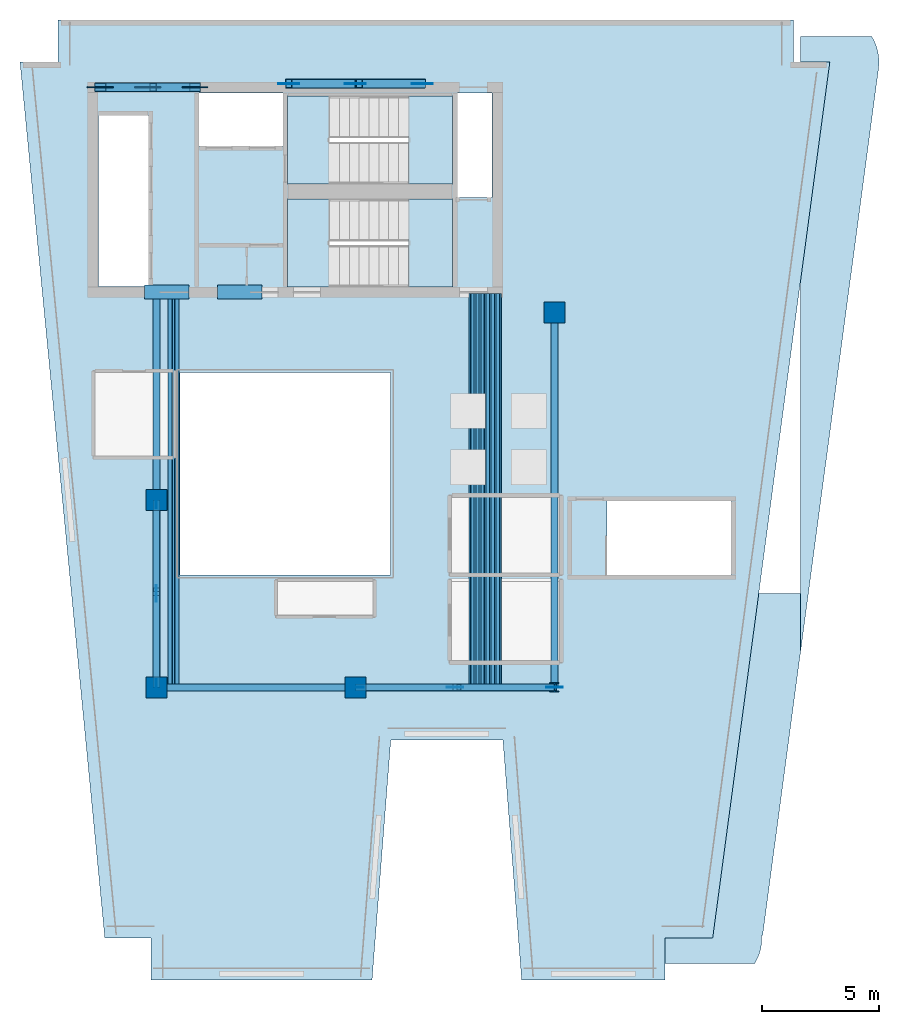
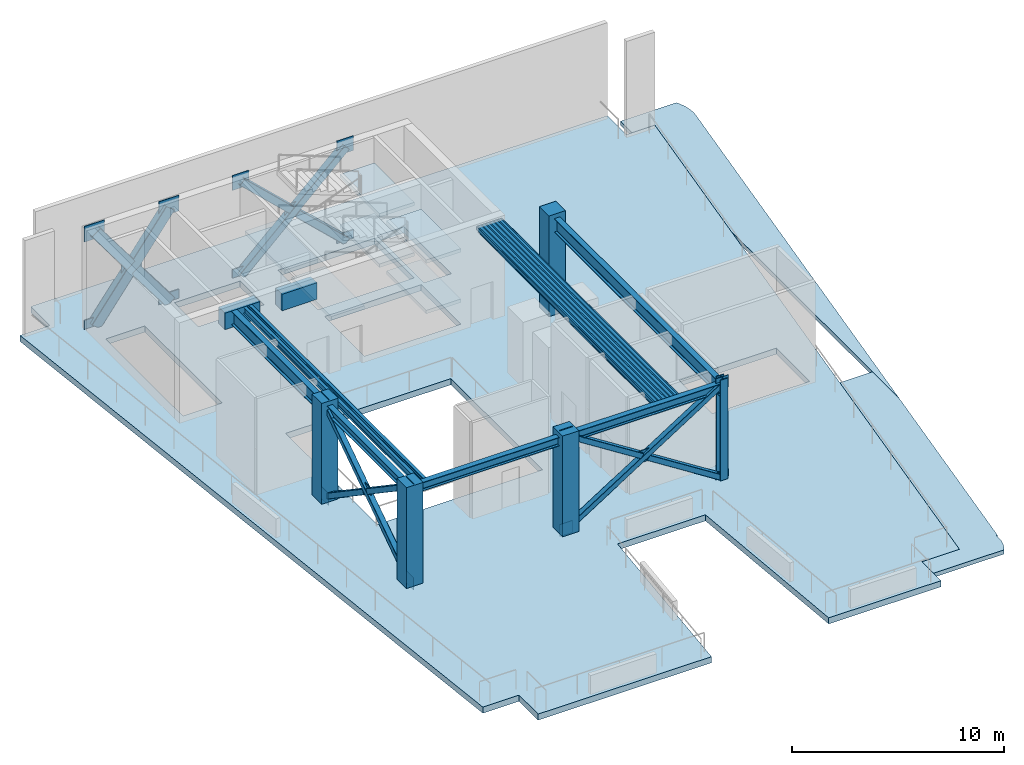
# One storey, part 1 of 8: 23 beams, 20 plates, 12 members, 9 slabs, 5 columns, 2 elements without a shape of their own.
"""IFC4 building model written with IfcOpenShell, lengths in metres."""

from ifc_helpers import new_model, si_unit, direction, frame, origin, origin_2d, place, context, subcontext, project, spatial, polyline, rectangle, hollow_rectangle, i_section, outline, extrude, material, layer, layer_set, material_profile, profile_set, type_object, element, aggregate, save


model = new_model("IFC4")

# Units and contexts
model_context = context("Model", 3, precision=1e-05, world=origin(), true_north=direction((0.0, 1.0)))
body_context = subcontext(model_context, "Body", "Model", "MODEL_VIEW")
ifc_project = project(units=[si_unit("LENGTHUNIT", "METRE"), si_unit("AREAUNIT", "SQUARE_METRE"), si_unit("VOLUMEUNIT", "CUBIC_METRE"), si_unit("PLANEANGLEUNIT", "RADIAN"), si_unit("MASSUNIT", "GRAM", prefix="KILO")], contexts=[model_context])

# Site, building, storey
site_placement = place(None, origin())
site = spatial("IfcSite", under=ifc_project, at=site_placement, CompositionType="ELEMENT")
building_placement = place(site_placement, origin())
building = spatial("IfcBuilding", under=site, at=building_placement, Name="Caeloran Harvest Quay", CompositionType="ELEMENT")
storey_placement = place(building_placement, frame((0.0, 0.0, 250.89990234375)))
storey = spatial("IfcBuildingStorey", under=building, at=storey_placement, Name="L60", CompositionType="ELEMENT", Elevation=250.89990234375)

# Columns
ifc_material_1 = material(Name="Concrete C60/75", Category="concrete")
ifc_material_profile_1 = material_profile(ifc_material_1, rectangle(XDim=0.89990234375, YDim=0.89990234375, at=origin_2d()), Name="RC 900x900")
ifc_profile_set_1 = profile_set([ifc_material_profile_1], Name="Concrete C60/75")
column_type_1 = type_object("IfcColumnType", Name="COL-MC-4-RC_900x900", PredefinedType="COLUMN", material=ifc_profile_set_1)
for number, where, z_axis, x_axis, name in (
    (1, (8.5, 15.0, 0.0), (0.0, 0.0, 1.0), (1.0, 0.0, 0.0), "L60 Structural Column (8.5, 15.0)"),
    (2, (8.5, 23.0, 0.0), (0.0, 0.0, 1.0), (1.0, 0.0, 0.0), "L60 Structural Column (8.5, 23.0)"),
    (3, (17.0, 15.0, 0.0), (0.0, 0.0, 1.0), (1.0, 0.0, 0.0), "L60 Structural Column (17.0, 15.0)"),
    (4, (25.5, 31.0, 0.0), (0.0, 0.0, 1.0), (1.0, 0.0, 0.0), "L60 Structural Column (25.5, 31.0)"),
):
    element("IfcColumn", number, at=place(storey_placement, frame(where, z_axis=z_axis, x_axis=x_axis)), inside=storey, type_object=column_type_1, Name=name, PredefinedType="COLUMN", context=body_context, shape_type="SweptSolid", body=[
        extrude(rectangle(XDim=0.89990234375, YDim=0.89990234375, at=origin_2d()), origin(), (0.0, 0.0, 1.0), 5.800048828125),
    ])
ifc_material_2 = material(Name="Steel HISTAR 460", Category="steel")
ifc_material_profile_2 = material_profile(ifc_material_2, i_section(OverallWidth=0.406005859375, OverallDepth=0.416015625, WebThickness=0.02978515625, FlangeThickness=0.048095703125, FilletRadius=0.014892578125, at=origin_2d()), Name="HD 400x382")
ifc_profile_set_2 = profile_set([ifc_material_profile_2], Name="Steel HISTAR 460")
column_type_2 = type_object("IfcColumnType", Name="COL-SC-5-HD_400x382", PredefinedType="COLUMN", material=ifc_profile_set_2)
column_placement = place(storey_placement, frame((25.5, 15.0, 0.0), z_axis=(0.0, 0.0, 1.0), x_axis=(1.0, 0.0, 0.0)))
element("IfcColumn", 5, at=column_placement, inside=storey, type_object=column_type_2, Name="L60 Structural Column (25.5, 15.0)", PredefinedType="COLUMN", context=body_context, shape_type="SweptSolid", body=[
    extrude(i_section(OverallWidth=0.406005859375, OverallDepth=0.416015625, WebThickness=0.02978515625, FlangeThickness=0.048095703125, FilletRadius=0.014892578125, at=origin_2d()), origin(), (0.0, 0.0, 1.0), 5.800048828125),
])

# Beams
ifc_material_profile_3 = material_profile(ifc_material_1, rectangle(XDim=0.60009765625, YDim=0.949951171875, at=origin_2d()), Name="RC 600x950")
ifc_profile_set_3 = profile_set([ifc_material_profile_3], Name="Concrete C60/75")
beam_type_1 = type_object("IfcBeamType", Name="BM-CB-2-RC_600x950", PredefinedType="LINTEL", material=ifc_profile_set_3)
for number, where, z_axis, x_axis, name in (
    (6, (8.0, 31.875, 5.0751953125), (1.0, 0.0, 0.0), (0.0, 1.0, 0.0), "L60 Core Coupling Beam 1"),
    (7, (11.10009765625, 31.875, 5.0751953125), (1.0, 0.0, 0.0), (0.0, 1.0, 0.0), "L60 Core Coupling Beam 2"),
):
    element("IfcBeam", number, at=place(storey_placement, frame(where, z_axis=z_axis, x_axis=x_axis)), inside=storey, type_object=beam_type_1, Name=name, PredefinedType="LINTEL", context=body_context, shape_type="SweptSolid", body=[
        extrude(rectangle(XDim=0.60009765625, YDim=0.949951171875, at=origin_2d()), origin(), (0.0, 0.0, 1.0), 1.89990234375),
    ])
ifc_material_3 = material(Name="Steel S355J2", Category="steel")
ifc_material_profile_4 = material_profile(ifc_material_3, i_section(OverallWidth=0.300048828125, OverallDepth=0.800048828125, WebThickness=0.017578125, FlangeThickness=0.032958984375, FilletRadius=0.030029296875, at=origin_2d()), Name="HE 800 B")
ifc_profile_set_4 = profile_set([ifc_material_profile_4], Name="Steel S355J2")
beam_type_2 = type_object("IfcBeamType", Name="BM-PG-1-HE_800_B", PredefinedType="BEAM", material=ifc_profile_set_4)
beam_1_placement = place(storey_placement, frame((8.5, 23.0, 5.150146484375), z_axis=(0.0, 1.0, 0.0), x_axis=(-1.0, 0.0, 0.0)))
element("IfcBeam", 8, at=beam_1_placement, inside=storey, type_object=beam_type_2, Name="L60 Core South Tie Girder X=8.5", PredefinedType="BEAM", context=body_context, shape_type="SweptSolid", body=[
    extrude(i_section(OverallWidth=0.300048828125, OverallDepth=0.800048828125, WebThickness=0.017578125, FlangeThickness=0.032958984375, FilletRadius=0.030029296875, at=origin_2d()), origin(), (0.0, 0.0, 1.0), 8.824951171875),
])
beam_2_placement = place(storey_placement, frame((25.5, 15.0, 5.150146484375), z_axis=(0.0, 1.0, 0.0), x_axis=(-1.0, 0.0, 0.0)))
element("IfcBeam", 9, at=beam_2_placement, inside=storey, type_object=beam_type_2, Name="L60 Primary North-South Girder X=25.5", PredefinedType="BEAM", context=body_context, shape_type="SweptSolid", body=[
    extrude(i_section(OverallWidth=0.300048828125, OverallDepth=0.800048828125, WebThickness=0.017578125, FlangeThickness=0.032958984375, FilletRadius=0.030029296875, at=origin_2d()), origin(), (0.0, 0.0, 1.0), 16.0),
])
ifc_material_profile_5 = material_profile(ifc_material_3, i_section(OverallWidth=0.300048828125, OverallDepth=0.5, WebThickness=0.014404296875, FlangeThickness=0.028076171875, FilletRadius=0.027099609375, at=origin_2d()), Name="HE 500 B")
ifc_profile_set_5 = profile_set([ifc_material_profile_5], Name="Steel S355J2")
beam_type_3 = type_object("IfcBeamType", Name="BM-PG-4-HE_500_B", PredefinedType="BEAM", material=ifc_profile_set_5)
for number, where, z_axis, x_axis, name in (
    (10, (8.5, 15.0, 5.300048828125), (1.0, 0.0, 0.0), (0.0, 1.0, 0.0), "L60 Primary East-West Girder Y=15.0"),
    (11, (17.0, 15.0, 5.300048828125), (1.0, 0.0, 0.0), (0.0, 1.0, 0.0), "L60 Primary East-West Girder Y=15.0"),
):
    element("IfcBeam", number, at=place(storey_placement, frame(where, z_axis=z_axis, x_axis=x_axis)), inside=storey, type_object=beam_type_3, Name=name, PredefinedType="BEAM", context=body_context, shape_type="SweptSolid", body=[
        extrude(i_section(OverallWidth=0.300048828125, OverallDepth=0.5, WebThickness=0.014404296875, FlangeThickness=0.028076171875, FilletRadius=0.027099609375, at=origin_2d()), origin(), (0.0, 0.0, 1.0), 8.5),
    ])
beam_3_placement = place(storey_placement, frame((8.5, 15.0, 5.300048828125), z_axis=(0.0, 1.0, 0.0), x_axis=(-1.0, 0.0, 0.0)))
element("IfcBeam", 12, at=beam_3_placement, inside=storey, type_object=beam_type_3, Name="L60 Primary North-South Girder X=8.5", PredefinedType="BEAM", context=body_context, shape_type="SweptSolid", body=[
    extrude(i_section(OverallWidth=0.300048828125, OverallDepth=0.5, WebThickness=0.014404296875, FlangeThickness=0.028076171875, FilletRadius=0.027099609375, at=origin_2d()), origin(), (0.0, 0.0, 1.0), 8.0),
])
ifc_material_profile_6 = material_profile(ifc_material_3, i_section(OverallWidth=0.169921875, OverallDepth=0.360107421875, WebThickness=0.008056640625, FlangeThickness=0.0126953125, FilletRadius=0.01806640625, at=origin_2d()), Name="IPE 360")
ifc_profile_set_6 = profile_set([ifc_material_profile_6], Name="Steel S355J2")
beam_type_4 = type_object("IfcBeamType", Name="BM-SB-5-IPE_360", PredefinedType="JOIST", material=ifc_profile_set_6)
for number, where, z_axis, x_axis, name in (
    (13, (9.086181640625, 15.14501953125, 5.3701171875), (0.0, 1.0, 0.0), (-1.0, 0.0, 0.0), "L60 Secondary Composite Joist"),
    (14, (9.37939453125, 15.14501953125, 5.3701171875), (0.0, 1.0, 0.0), (-1.0, 0.0, 0.0), "L60 Secondary Composite Joist"),
    (15, (21.99658203125, 15.14501953125, 5.3701171875), (0.0, 1.0, 0.0), (-1.0, 0.0, 0.0), "L60 Secondary Composite Joist"),
    (16, (22.2138671875, 15.14501953125, 5.3701171875), (0.0, 1.0, 0.0), (-1.0, 0.0, 0.0), "L60 Secondary Composite Joist"),
    (17, (22.430908203125, 15.14501953125, 5.3701171875), (0.0, 1.0, 0.0), (-1.0, 0.0, 0.0), "L60 Secondary Composite Joist"),
    (18, (22.648193359375, 15.14501953125, 5.3701171875), (0.0, 1.0, 0.0), (-1.0, 0.0, 0.0), "L60 Secondary Composite Joist"),
    (19, (22.865478515625, 15.14501953125, 5.3701171875), (0.0, 1.0, 0.0), (-1.0, 0.0, 0.0), "L60 Secondary Composite Joist"),
    (20, (23.082763671875, 15.14501953125, 5.3701171875), (0.0, 1.0, 0.0), (-1.0, 0.0, 0.0), "L60 Secondary Composite Joist"),
):
    element("IfcBeam", number, at=place(storey_placement, frame(where, z_axis=z_axis, x_axis=x_axis)), inside=storey, type_object=beam_type_4, Name=name, PredefinedType="JOIST", context=body_context, shape_type="SweptSolid", body=[
        extrude(i_section(OverallWidth=0.169921875, OverallDepth=0.360107421875, WebThickness=0.008056640625, FlangeThickness=0.0126953125, FilletRadius=0.01806640625, at=origin_2d()), origin(), (0.0, 0.0, 1.0), 16.679931640625),
    ])
ifc_material_profile_7 = material_profile(ifc_material_3, hollow_rectangle(XDim=0.080078125, YDim=0.199951171875, WallThickness=0.006103515625, InnerFilletRadius=0.006103515625, OuterFilletRadius=0.009033203125, at=origin_2d()), Name="RHS 200x80x6")
ifc_profile_set_7 = profile_set([ifc_material_profile_7], Name="Steel S355J2")
beam_type_5 = type_object("IfcBeamType", Name="BM-SB-7-RHS_200x80x6", PredefinedType="JOIST", material=ifc_profile_set_7)
for number, where, z_axis, x_axis, name in (
    (21, (9.23291015625, 15.14501953125, 5.4501953125), (0.0, 1.0, 0.0), (-1.0, 0.0, 0.0), "L60 Secondary Composite Joist"),
    (22, (21.887939453125, 15.14501953125, 5.4501953125), (0.0, 1.0, 0.0), (-1.0, 0.0, 0.0), "L60 Secondary Composite Joist"),
    (23, (22.105224609375, 15.14501953125, 5.4501953125), (0.0, 1.0, 0.0), (-1.0, 0.0, 0.0), "L60 Secondary Composite Joist"),
    (24, (22.322509765625, 15.14501953125, 5.4501953125), (0.0, 1.0, 0.0), (-1.0, 0.0, 0.0), "L60 Secondary Composite Joist"),
    (25, (22.539794921875, 15.14501953125, 5.4501953125), (0.0, 1.0, 0.0), (-1.0, 0.0, 0.0), "L60 Secondary Composite Joist"),
    (26, (22.7568359375, 15.14501953125, 5.4501953125), (0.0, 1.0, 0.0), (-1.0, 0.0, 0.0), "L60 Secondary Composite Joist"),
    (27, (22.97412109375, 15.14501953125, 5.4501953125), (0.0, 1.0, 0.0), (-1.0, 0.0, 0.0), "L60 Secondary Composite Joist"),
    (28, (23.19140625, 15.14501953125, 5.4501953125), (0.0, 1.0, 0.0), (-1.0, 0.0, 0.0), "L60 Secondary Composite Joist"),
):
    element("IfcBeam", number, at=place(storey_placement, frame(where, z_axis=z_axis, x_axis=x_axis)), inside=storey, type_object=beam_type_5, Name=name, PredefinedType="JOIST", context=body_context, shape_type="SweptSolid", body=[
        extrude(hollow_rectangle(XDim=0.080078125, YDim=0.199951171875, WallThickness=0.006103515625, InnerFilletRadius=0.006103515625, OuterFilletRadius=0.009033203125, at=origin_2d()), origin(), (0.0, 0.0, 1.0), 16.679931640625),
    ])

# Members
ifc_material_profile_8 = material_profile(ifc_material_3, hollow_rectangle(XDim=0.300048828125, YDim=0.300048828125, WallThickness=0.01611328125, InnerFilletRadius=0.01611328125, OuterFilletRadius=0.02392578125, at=origin_2d()), Name="SHS 300x300x16")
ifc_profile_set_8 = profile_set([ifc_material_profile_8], Name="Steel S355J2")
member_type_1 = type_object("IfcMemberType", Name="MEM-BT-2-SHS_300x300x16", PredefinedType="BRACE", material=ifc_profile_set_8)
member_1_placement = place(storey_placement, frame((8.5, 15.0, 0.06005859375), z_axis=(0.0, 0.828360699197, 0.560195101752), x_axis=(-1.0, 0.0, 0.0)))
element("IfcMember", 29, at=member_1_placement, inside=storey, type_object=member_type_1, Name="L60 Perimeter Belt Truss Continuous Brace BELT-W1 A", PredefinedType="BRACE", context=body_context, shape_type="SweptSolid", body=[
    extrude(hollow_rectangle(XDim=0.300048828125, YDim=0.300048828125, WallThickness=0.01611328125, InnerFilletRadius=0.01611328125, OuterFilletRadius=0.02392578125, at=origin_2d()), origin(), (0.0, 0.0, 1.0), 9.65771484375),
])
for number, where, z_axis, x_axis, name in (
    (30, (8.5, 15.0, 5.47021484375), (0.0, 0.828356121897, -0.560201870147), (-1.0, 0.0, 0.0), "L60 Perimeter Belt Truss Split Brace BELT-W1 B1"),
    (31, (8.5, 19.165771484375, 2.653076171875), (0.0, 0.828356121897, -0.560201870147), (-1.0, 0.0, 0.0), "L60 Perimeter Belt Truss Split Brace BELT-W1 B2"),
):
    element("IfcMember", number, at=place(storey_placement, frame(where, z_axis=z_axis, x_axis=x_axis)), inside=storey, type_object=member_type_1, Name=name, PredefinedType="BRACE", context=body_context, shape_type="SweptSolid", body=[
        extrude(hollow_rectangle(XDim=0.300048828125, YDim=0.300048828125, WallThickness=0.01611328125, InnerFilletRadius=0.01611328125, OuterFilletRadius=0.02392578125, at=origin_2d()), origin(), (0.0, 0.0, 1.0), 4.628662109375),
    ])
member_2_placement = place(storey_placement, frame((17.0, 15.0, 0.06005859375), z_axis=(0.843613593249, 0.0, 0.536950747541), x_axis=(0.0, 1.0, 0.0)))
element("IfcMember", 32, at=member_2_placement, inside=storey, type_object=member_type_1, Name="L60 Perimeter Belt Truss Continuous Brace BELT-S2 A", PredefinedType="BRACE", context=body_context, shape_type="SweptSolid", body=[
    extrude(hollow_rectangle(XDim=0.300048828125, YDim=0.300048828125, WallThickness=0.01611328125, InnerFilletRadius=0.01611328125, OuterFilletRadius=0.02392578125, at=origin_2d()), origin(), (0.0, 0.0, 1.0), 10.07568359375),
])
for number, where, z_axis, x_axis, name in (
    (33, (17.0, 15.0, 5.47021484375), (0.84361784785, 0.0, -0.536944062997), (0.0, 1.0, 0.0), "L60 Perimeter Belt Truss Split Brace BELT-S2 B1"),
    (34, (21.418701171875, 15.0, 2.65771484375), (0.84361784785, 0.0, -0.536944062997), (0.0, 1.0, 0.0), "L60 Perimeter Belt Truss Split Brace BELT-S2 B2"),
):
    element("IfcMember", number, at=place(storey_placement, frame(where, z_axis=z_axis, x_axis=x_axis)), inside=storey, type_object=member_type_1, Name=name, PredefinedType="BRACE", context=body_context, shape_type="SweptSolid", body=[
        extrude(hollow_rectangle(XDim=0.300048828125, YDim=0.300048828125, WallThickness=0.01611328125, InnerFilletRadius=0.01611328125, OuterFilletRadius=0.02392578125, at=origin_2d()), origin(), (0.0, 0.0, 1.0), 4.837890625),
    ])
ifc_material_profile_9 = material_profile(ifc_material_2, hollow_rectangle(XDim=0.39990234375, YDim=0.60009765625, WallThickness=0.02490234375, InnerFilletRadius=0.02490234375, OuterFilletRadius=0.03759765625, at=origin_2d()), Name="RHS 600x400x25")
ifc_profile_set_9 = profile_set([ifc_material_profile_9], Name="Steel HISTAR 460")
member_type_2 = type_object("IfcMemberType", Name="MEM-OU-1-RHS_600x400x25", PredefinedType="BRACE", material=ifc_profile_set_9)
member_3_placement = place(storey_placement, frame((6.10009765625, 40.625, 0.06005859375), z_axis=(0.599259880714, 0.0, 0.800554554897), x_axis=(0.0, 1.0, 0.0)))
element("IfcMember", 35, at=member_3_placement, inside=storey, type_object=member_type_2, Name="L60 Outrigger Truss Continuous Diagonal N-CORE1 A", PredefinedType="BRACE", context=body_context, shape_type="SweptSolid", body=[
    extrude(hollow_rectangle(XDim=0.39990234375, YDim=0.60009765625, WallThickness=0.02490234375, InnerFilletRadius=0.02490234375, OuterFilletRadius=0.03759765625, at=origin_2d()), origin(), (0.0, 0.0, 1.0), 6.758056640625),
])
for number, where, z_axis, x_axis, name in (
    (36, (6.10009765625, 40.625, 5.47021484375), (0.599245459948, 0.0, -0.800565349445), (0.0, 1.0, 0.0), "L60 Outrigger Truss Split Diagonal N-CORE1 B1"),
    (37, (8.2568359375, 40.625, 2.589111328125), (0.599245459948, 0.0, -0.800565349445), (0.0, 1.0, 0.0), "L60 Outrigger Truss Split Diagonal N-CORE1 B2"),
):
    element("IfcMember", number, at=place(storey_placement, frame(where, z_axis=z_axis, x_axis=x_axis)), inside=storey, type_object=member_type_2, Name=name, PredefinedType="BRACE", context=body_context, shape_type="SweptSolid", body=[
        extrude(hollow_rectangle(XDim=0.39990234375, YDim=0.60009765625, WallThickness=0.02490234375, InnerFilletRadius=0.02490234375, OuterFilletRadius=0.03759765625, at=origin_2d()), origin(), (0.0, 0.0, 1.0), 3.1591796875),
    ])
ifc_material_profile_10 = material_profile(ifc_material_2, hollow_rectangle(XDim=0.39990234375, YDim=0.39990234375, WallThickness=0.02001953125, InnerFilletRadius=0.02001953125, OuterFilletRadius=0.030029296875, at=origin_2d()), Name="SHS 400x400x20")
ifc_profile_set_10 = profile_set([ifc_material_profile_10], Name="Steel HISTAR 460")
member_type_3 = type_object("IfcMemberType", Name="MEM-OU-2-SHS_400x400x20", PredefinedType="BRACE", material=ifc_profile_set_10)
member_4_placement = place(storey_placement, frame((14.14990234375, 40.780029296875, 0.06005859375), z_axis=(0.725318910458, 0.0, 0.688413014209), x_axis=(0.0, 1.0, 0.0)))
element("IfcMember", 38, at=member_4_placement, inside=storey, type_object=member_type_3, Name="L60 Outrigger Truss Continuous Diagonal N-CORE2 A", PredefinedType="BRACE", context=body_context, shape_type="SweptSolid", body=[
    extrude(hollow_rectangle(XDim=0.39990234375, YDim=0.39990234375, WallThickness=0.02001953125, InnerFilletRadius=0.02001953125, OuterFilletRadius=0.030029296875, at=origin_2d()), origin(), (0.0, 0.0, 1.0), 7.85888671875),
])
member_5_placement = place(storey_placement, frame((14.14990234375, 40.780029296875, 5.47021484375), z_axis=(0.725295150706, 0.0, -0.688438046859), x_axis=(0.0, 1.0, 0.0)))
element("IfcMember", 39, at=member_5_placement, inside=storey, type_object=member_type_3, Name="L60 Outrigger Truss Split Diagonal N-CORE2 B1", PredefinedType="BRACE", context=body_context, shape_type="SweptSolid", body=[
    extrude(hollow_rectangle(XDim=0.39990234375, YDim=0.39990234375, WallThickness=0.02001953125, InnerFilletRadius=0.02001953125, OuterFilletRadius=0.030029296875, at=origin_2d()), origin(), (0.0, 0.0, 1.0), 3.70947265625),
])
member_6_placement = place(storey_placement, frame((17.15966796875, 40.780029296875, 2.613525390625), z_axis=(0.725328014793, 0.0, -0.688403421662), x_axis=(0.0, 1.0, 0.0)))
element("IfcMember", 40, at=member_6_placement, inside=storey, type_object=member_type_3, Name="L60 Outrigger Truss Split Diagonal N-CORE2 B2", PredefinedType="BRACE", context=body_context, shape_type="SweptSolid", body=[
    extrude(hollow_rectangle(XDim=0.39990234375, YDim=0.39990234375, WallThickness=0.02001953125, InnerFilletRadius=0.02001953125, OuterFilletRadius=0.030029296875, at=origin_2d()), origin(), (0.0, 0.0, 1.0), 3.709228515625),
])

# Plates
ifc_layer_1 = layer(ifc_material_2, 0.034912109375, Name="Steel HISTAR 460")
ifc_layer_set_1 = layer_set([ifc_layer_1], Name="Steel HISTAR 460")
plate_type_1 = type_object("IfcPlateType", Name="PLT-KN1-35MM", PredefinedType="SHEET", material=ifc_layer_set_1)
for number, where, z_axis, x_axis, name in (
    (41, (8.5, 15.0, -0.2900390625), (0.0, 0.0, 1.0), (0.0, 1.0, 0.0), "L60 Belt Truss Node and X-Crossing Plate BELT-W1 A-BOT"),
    (42, (8.5, 15.0, 5.1201171875), (0.0, 0.0, 1.0), (0.0, 1.0, 0.0), "L60 Belt Truss Node and X-Crossing Plate BELT-W1 A-TOP"),
    (43, (8.5, 19.0, 2.4150390625), (0.0, 0.0, 1.0), (0.0, 1.0, 0.0), "L60 Belt Truss Node and X-Crossing Plate BELT-W1 XMID"),
    (44, (8.5, 23.0, 5.1201171875), (0.0, 0.0, 1.0), (0.0, 1.0, 0.0), "L60 Belt Truss Node and X-Crossing Plate BELT-W1 B-TOP"),
    (45, (8.5, 23.0, -0.2900390625), (0.0, 0.0, 1.0), (0.0, 1.0, 0.0), "L60 Belt Truss Node and X-Crossing Plate BELT-W1 B-BOT"),
    (46, (17.0, 15.0, -0.2900390625), (0.0, 0.0, 1.0), (1.0, 0.0, 0.0), "L60 Belt Truss Node and X-Crossing Plate BELT-S2 A-BOT"),
    (47, (17.0, 15.0, 5.1201171875), (0.0, 0.0, 1.0), (1.0, 0.0, 0.0), "L60 Belt Truss Node and X-Crossing Plate BELT-S2 A-TOP"),
    (48, (21.25, 15.0, 2.4150390625), (0.0, 0.0, 1.0), (1.0, 0.0, 0.0), "L60 Belt Truss Node and X-Crossing Plate BELT-S2 XMID"),
    (49, (25.5, 15.0, 5.1201171875), (0.0, 0.0, 1.0), (1.0, 0.0, 0.0), "L60 Belt Truss Node and X-Crossing Plate BELT-S2 B-TOP"),
    (50, (25.5, 15.0, -0.2900390625), (0.0, 0.0, 1.0), (1.0, 0.0, 0.0), "L60 Belt Truss Node and X-Crossing Plate BELT-S2 B-BOT"),
):
    element("IfcPlate", number, at=place(storey_placement, frame(where, z_axis=z_axis, x_axis=x_axis)), inside=storey, type_object=plate_type_1, Name=name, PredefinedType="SHEET", context=body_context, shape_type="SweptSolid", body=[
        extrude(rectangle(XDim=0.699951171875, YDim=0.034912109375, at=origin_2d()), origin(), (0.0, 0.0, 1.0), 0.699951171875),
    ])
ifc_layer_2 = layer(ifc_material_2, 0.044921875, Name="Steel HISTAR 460")
ifc_layer_set_2 = layer_set([ifc_layer_2], Name="Steel HISTAR 460")
plate_type_2 = type_object("IfcPlateType", Name="PLT-ON1-45MM", PredefinedType="SHEET", material=ifc_layer_set_2)
for number, where, z_axis, x_axis, name in (
    (51, (6.10009765625, 40.625, -0.389892578125), (0.0, 0.0, 1.0), (1.0, 0.0, 0.0), "L60 Outrigger Node Gusset and End Cap Plate N-CORE1 A-BOT"),
    (52, (6.10009765625, 40.625, 5.020263671875), (0.0, 0.0, 1.0), (1.0, 0.0, 0.0), "L60 Outrigger Node Gusset and End Cap Plate N-CORE1 A-TOP"),
    (53, (8.125, 40.625, 2.315185546875), (0.0, 0.0, 1.0), (1.0, 0.0, 0.0), "L60 Outrigger Node Gusset and End Cap Plate N-CORE1 XMID"),
    (54, (10.14990234375, 40.625, 5.020263671875), (0.0, 0.0, 1.0), (1.0, 0.0, 0.0), "L60 Outrigger Node Gusset and End Cap Plate N-CORE1 B-TOP"),
    (55, (10.14990234375, 40.625, -0.389892578125), (0.0, 0.0, 1.0), (1.0, 0.0, 0.0), "L60 Outrigger Node Gusset and End Cap Plate N-CORE1 B-BOT"),
):
    element("IfcPlate", number, at=place(storey_placement, frame(where, z_axis=z_axis, x_axis=x_axis)), inside=storey, type_object=plate_type_2, Name=name, PredefinedType="SHEET", context=body_context, shape_type="SweptSolid", body=[
        extrude(rectangle(XDim=1.10009765625, YDim=0.044921875, at=origin_2d()), origin(), (0.0, 0.0, 1.0), 0.89990234375),
    ])
ifc_layer_3 = layer(ifc_material_2, 0.0380859375, Name="Steel HISTAR 460")
ifc_layer_set_3 = layer_set([ifc_layer_3], Name="Steel HISTAR 460")
plate_type_3 = type_object("IfcPlateType", Name="PLT-ON2-38MM", PredefinedType="SHEET", material=ifc_layer_set_3)
for number, where, z_axis, x_axis, name in (
    (56, (14.14990234375, 40.780029296875, -0.364990234375), (0.0, 0.0, 1.0), (1.0, 0.0, 0.0), "L60 Outrigger Node Gusset and End Cap Plate N-CORE2 A-BOT"),
    (57, (14.14990234375, 40.780029296875, 5.045166015625), (0.0, 0.0, 1.0), (1.0, 0.0, 0.0), "L60 Outrigger Node Gusset and End Cap Plate N-CORE2 A-TOP"),
    (58, (17.0, 40.780029296875, 2.340087890625), (0.0, 0.0, 1.0), (1.0, 0.0, 0.0), "L60 Outrigger Node Gusset and End Cap Plate N-CORE2 XMID"),
    (59, (19.85009765625, 40.780029296875, 5.045166015625), (0.0, 0.0, 1.0), (1.0, 0.0, 0.0), "L60 Outrigger Node Gusset and End Cap Plate N-CORE2 B-TOP"),
    (60, (19.85009765625, 40.780029296875, -0.364990234375), (0.0, 0.0, 1.0), (1.0, 0.0, 0.0), "L60 Outrigger Node Gusset and End Cap Plate N-CORE2 B-BOT"),
):
    element("IfcPlate", number, at=place(storey_placement, frame(where, z_axis=z_axis, x_axis=x_axis)), inside=storey, type_object=plate_type_3, Name=name, PredefinedType="SHEET", context=body_context, shape_type="SweptSolid", body=[
        extrude(rectangle(XDim=0.89990234375, YDim=0.0380859375, at=origin_2d()), origin(), (0.0, 0.0, 1.0), 0.85009765625),
    ])

# Slabs
ifc_material_4 = material(Name="Concrete C50/60", Category="concrete")
ifc_layer_4 = layer(ifc_material_4, 0.35009765625, Name="Concrete C50/60")
ifc_layer_set_4 = layer_set([ifc_layer_4], Name="Concrete C50/60")
slab_type_1 = type_object("IfcSlabType", Name="SLAB-FS-350", PredefinedType="FLOOR", material=ifc_layer_set_4)
slab_1_placement = place(storey_placement, frame((0.0, 0.0, -0.349853515625)))
element("IfcSlab", 61, at=slab_1_placement, inside=storey, type_object=slab_type_1, Name="L60 Structural Floor Slab", PredefinedType="FLOOR", context=body_context, shape_type="SweptSolid", body=[
    extrude(outline(polyline([(8.26904296875, 2.5), (17.7109375, 2.5), (18.510986328125, 12.75), (23.298583984375, 12.75), (24.098388671875, 2.5), (30.218994140625, 2.5), (30.218994140625, 4.300048828125), (32.259521484375, 4.300048828125), (37.259521484375, 41.699951171875), (35.699951171875, 41.699951171875), (35.699951171875, 43.5), (4.300048828125, 43.5), (4.300048828125, 41.699951171875), (2.67431640625, 41.699951171875), (6.294921875, 4.300048828125), (8.26904296875, 4.300048828125), (8.26904296875, 2.5)]), holes=[polyline([(33.050048828125, 19.800048828125), (27.75, 19.800048828125), (27.75, 22.949951171875), (33.050048828125, 22.949951171875), (33.050048828125, 19.800048828125)]), polyline([(18.5, 19.800048828125), (9.5, 19.800048828125), (9.5, 28.449951171875), (18.5, 28.449951171875), (18.5, 19.800048828125)]), polyline([(15.89990234375, 32.10009765625), (15.89990234375, 35.85009765625), (21.14990234375, 35.85009765625), (21.14990234375, 32.10009765625), (15.89990234375, 32.10009765625)]), polyline([(8.159912109375, 32.1201171875), (6.02001953125, 32.1201171875), (6.02001953125, 39.419921875), (8.159912109375, 39.419921875), (8.159912109375, 32.1201171875)]), polyline([(22.830078125, 35.919921875), (21.35009765625, 35.919921875), (21.35009765625, 40.3798828125), (22.830078125, 40.3798828125), (22.830078125, 35.919921875)]), polyline([(15.89990234375, 36.5), (15.89990234375, 40.25), (21.14990234375, 40.25), (21.14990234375, 36.5), (15.89990234375, 36.5)]), polyline([(13.89990234375, 38.1201171875), (10.320068359375, 38.1201171875), (10.320068359375, 40.3798828125), (13.89990234375, 40.3798828125), (13.89990234375, 38.1201171875)])]), origin(), (0.0, 0.0, 1.0), 0.349853515625),
])
ifc_layer_5 = layer(ifc_material_4, 0.239990234375, Name="Concrete C50/60")
ifc_layer_set_5 = layer_set([ifc_layer_5], Name="Concrete C50/60")
slab_type_2 = type_object("IfcSlabType", Name="SLAB-TR-240", PredefinedType="ROOF", material=ifc_layer_set_5)
slab_2_placement = place(storey_placement, frame((0.0, 0.0, -0.239990234375)))
element("IfcSlab", 62, at=slab_2_placement, inside=storey, type_object=slab_type_2, Name="L60 Step-Back Roof Slab 1", PredefinedType="ROOF", context=body_context, shape_type="SweptSolid", body=[
    extrude(outline(polyline([(34.3916015625, 4.39990234375), (34.3359375, 4.39990234375), (34.3359375, 3.993896484375), (34.304931640625, 3.82373046875), (34.25, 3.630126953125), (34.1767578125, 3.44287109375), (34.085693359375, 3.26318359375), (34.052001953125, 3.2099609375), (30.218994140625, 3.2099609375), (30.218994140625, 4.300048828125), (32.259521484375, 4.300048828125), (34.224853515625, 19.0), (36.0, 19.0), (36.0, 16.430908203125), (34.3916015625, 4.39990234375)])), origin(), (0.0, 0.0, 1.0), 0.239990234375),
])
slab_3_placement = place(storey_placement, frame((0.0, 0.0, -0.239990234375)))
element("IfcSlab", 63, at=slab_3_placement, inside=storey, type_object=slab_type_2, Name="L60 Step-Back Roof Slab 2", PredefinedType="ROOF", context=body_context, shape_type="SweptSolid", body=[
    extrude(outline(polyline([(39.329833984375, 42.050537109375), (39.3544921875, 41.841796875), (39.3583984375, 41.63134765625), (39.3408203125, 41.421630859375), (36.010009765625, 16.505615234375), (36.010009765625, 32.35400390625), (37.259521484375, 41.699951171875), (36.010009765625, 41.699951171875), (36.010009765625, 42.7900390625), (39.05224609375, 42.7900390625), (39.13330078125, 42.648193359375), (39.21875, 42.455810546875), (39.284423828125, 42.256103515625), (39.329833984375, 42.050537109375)])), origin(), (0.0, 0.0, 1.0), 0.239990234375),
])

# Stair, slabs
stair_type = type_object("IfcStairType", Name="STAIR-STC-180", PredefinedType="HALF_TURN_STAIR", material=ifc_material_4)
stair_1_placement = place(storey_placement, origin())
stair_1 = element("IfcStair", 64, at=stair_1_placement, inside=storey, type_object=stair_type, Name="L60 Core Pressurized Exit Stair ST-C1", PredefinedType="HALF_TURN_STAIR")
ifc_layer_6 = layer(ifc_material_4, 0.219970703125, Name="Concrete C50/60")
ifc_layer_set_6 = layer_set([ifc_layer_6], Name="Concrete C50/60")
slab_type_3 = type_object("IfcSlabType", Name="STAIR-LANDING-220", PredefinedType="LANDING", material=ifc_layer_set_6)
slab_4_placement = place(storey_placement, frame((0.0, 0.0, 1.25)))
slab_4 = element("IfcSlab", 65, at=slab_4_placement, type_object=slab_type_3, Name="ST-C1 landing 1", PredefinedType="LANDING", context=body_context, shape_type="SweptSolid", body=[
    extrude(outline(polyline([(19.260009765625, 36.5), (21.14990234375, 36.5), (21.14990234375, 40.25), (19.260009765625, 40.25), (19.260009765625, 36.5)])), origin(), (0.0, 0.0, 1.0), 0.2001953125),
])
slab_5_placement = place(storey_placement, frame((0.0, 0.0, 2.7001953125)))
slab_5 = element("IfcSlab", 66, at=slab_5_placement, type_object=slab_type_3, Name="ST-C1 landing 2", PredefinedType="LANDING", context=body_context, shape_type="SweptSolid", body=[
    extrude(outline(polyline([(14.10009765625, 36.5), (15.89990234375, 36.5), (15.89990234375, 40.25), (14.10009765625, 40.25), (14.10009765625, 36.5)])), origin(), (0.0, 0.0, 1.0), 0.199951171875),
])
slab_6_placement = place(storey_placement, frame((0.0, 0.0, 4.150146484375)))
slab_6 = element("IfcSlab", 67, at=slab_6_placement, type_object=slab_type_3, Name="ST-C1 landing 3", PredefinedType="LANDING", context=body_context, shape_type="SweptSolid", body=[
    extrude(outline(polyline([(19.260009765625, 36.5), (21.14990234375, 36.5), (21.14990234375, 40.25), (19.260009765625, 40.25), (19.260009765625, 36.5)])), origin(), (0.0, 0.0, 1.0), 0.199951171875),
])
aggregate(stair_1, [slab_4, slab_5, slab_6])

stair_2_placement = place(storey_placement, origin())
stair_2 = element("IfcStair", 68, at=stair_2_placement, inside=storey, type_object=stair_type, Name="L60 Core Pressurized Exit Stair ST-C2", PredefinedType="HALF_TURN_STAIR")
slab_7_placement = place(storey_placement, frame((0.0, 0.0, 1.25)))
slab_7 = element("IfcSlab", 69, at=slab_7_placement, type_object=slab_type_3, Name="ST-C2 landing 1", PredefinedType="LANDING", context=body_context, shape_type="SweptSolid", body=[
    extrude(outline(polyline([(19.260009765625, 32.10009765625), (21.14990234375, 32.10009765625), (21.14990234375, 35.85009765625), (19.260009765625, 35.85009765625), (19.260009765625, 32.10009765625)])), origin(), (0.0, 0.0, 1.0), 0.2001953125),
])
slab_8_placement = place(storey_placement, frame((0.0, 0.0, 2.7001953125)))
slab_8 = element("IfcSlab", 70, at=slab_8_placement, type_object=slab_type_3, Name="ST-C2 landing 2", PredefinedType="LANDING", context=body_context, shape_type="SweptSolid", body=[
    extrude(outline(polyline([(14.10009765625, 32.10009765625), (15.89990234375, 32.10009765625), (15.89990234375, 35.85009765625), (14.10009765625, 35.85009765625), (14.10009765625, 32.10009765625)])), origin(), (0.0, 0.0, 1.0), 0.199951171875),
])
slab_9_placement = place(storey_placement, frame((0.0, 0.0, 4.150146484375)))
slab_9 = element("IfcSlab", 71, at=slab_9_placement, type_object=slab_type_3, Name="ST-C2 landing 3", PredefinedType="LANDING", context=body_context, shape_type="SweptSolid", body=[
    extrude(outline(polyline([(19.260009765625, 32.10009765625), (21.14990234375, 32.10009765625), (21.14990234375, 35.85009765625), (19.260009765625, 35.85009765625), (19.260009765625, 32.10009765625)])), origin(), (0.0, 0.0, 1.0), 0.199951171875),
])
aggregate(stair_2, [slab_7, slab_8, slab_9])

save(model, "model.ifc")
